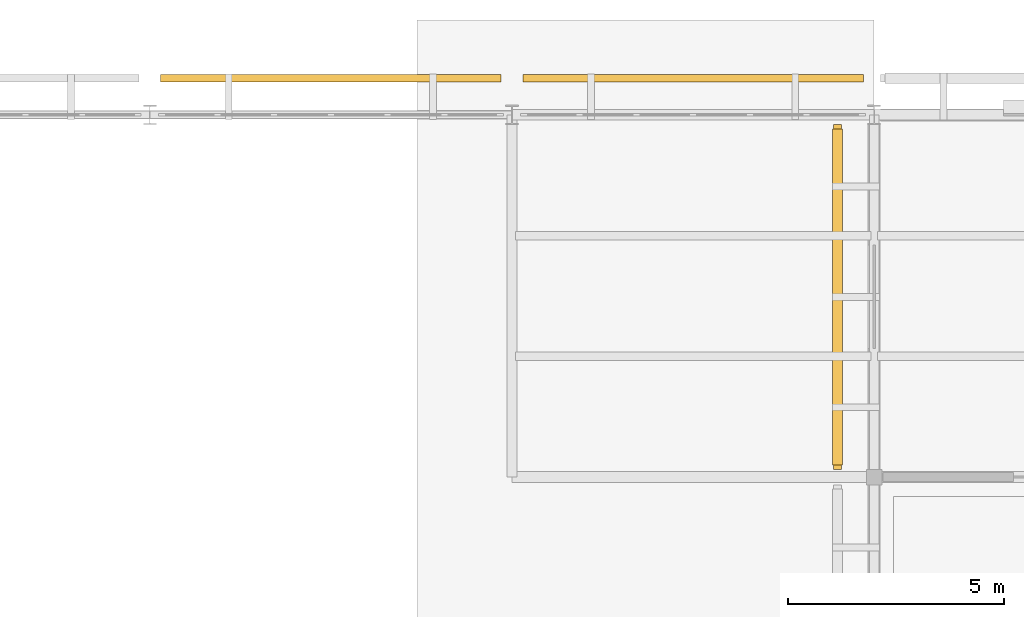
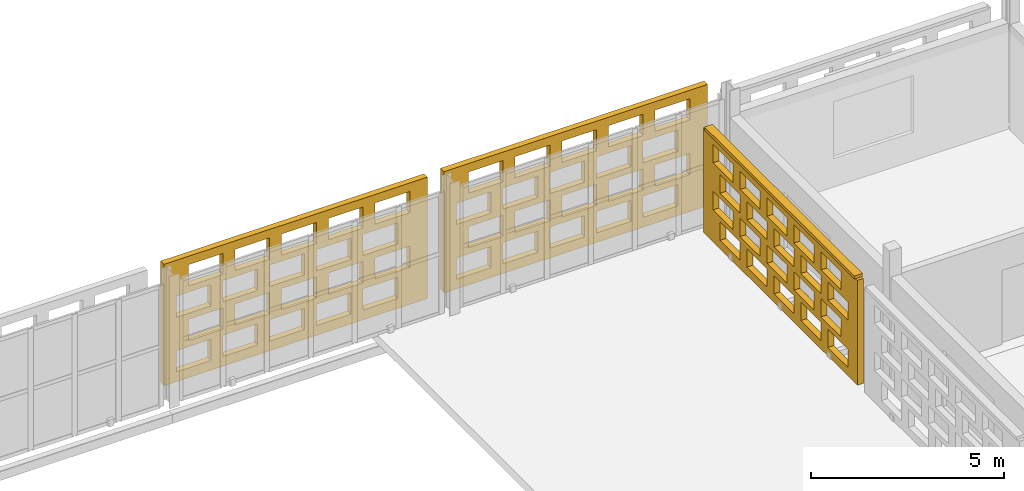
# One storey, part 129 of 140: 3 coverings, 1 shading device, 60 openings.
"""IFC4 building model written with IfcOpenShell, lengths in metres."""

import ifcopenshell
import ifcopenshell.guid

model = None  # the IFC model being written
_history = None  # IfcOwnerHistory: only IFC2X3 demands one
_inside = {}  # id of a spatial element -> (the spatial element, [elements in it])
_under = {}  # id of a project, library or spatial element -> (it, [spatial elements below it])
_declared = {}  # id of a project -> (the project, [libraries it declares])
_typed = {}  # id of a type object -> (the type object, [elements of that type])
_made_of = {}  # id of a material, layer set ... -> (it, [elements and type objects made of it])


def new_model(schema):
    """Start an empty IFC model of exactly this schema.

    Asked for "IFC4X3", IfcOpenShell would pick the latest addendum, in which some entities
    have other attributes; the version numbers below select the first issue.
    IFC2X3 requires an IfcOwnerHistory on every rooted entity: one is made here for all.
    """
    global model, _history
    if schema == "IFC4X3":
        model = ifcopenshell.file(schema_version=(4, 3, 0, 0))
    else:
        model = ifcopenshell.file(schema=schema)
    _inside.clear()
    _under.clear()
    _declared.clear()
    _typed.clear()
    _made_of.clear()
    _history = None
    if model.schema == "IFC2X3":
        org = make("IfcOrganization", Name="unknown")
        user = make(
            "IfcPersonAndOrganization",
            ThePerson=make("IfcPerson", FamilyName="unknown"),
            TheOrganization=org,
        )
        app = make(
            "IfcApplication",
            ApplicationDeveloper=org,
            Version="unknown",
            ApplicationFullName="unknown",
            ApplicationIdentifier="unknown",
        )
        _history = make(
            "IfcOwnerHistory",
            OwningUser=user,
            OwningApplication=app,
            ChangeAction="ADDED",
            CreationDate=0,
        )
    return model


def make(cls, **values):
    """One entity of the class cls with the attributes given. An attribute that is None is left unset."""
    return model.create_entity(
        cls, **{name: value for name, value in values.items() if value is not None}
    )


def rooted(cls, **values):
    """An entity with a GlobalId (a new one), such as an element, a storey or a relation."""
    return make(cls, GlobalId=ifcopenshell.guid.new(), OwnerHistory=_history, **values)


def si_unit(unit_type, name, prefix=None):
    """IfcSIUnit, for example si_unit("LENGTHUNIT", "METRE", prefix="MILLI")."""
    return make("IfcSIUnit", UnitType=unit_type, Prefix=prefix, Name=name)


def assignment(units):
    """IfcUnitAssignment: the units of a project."""
    return None if units is None else make("IfcUnitAssignment", Units=units)


def point(xyz):
    """IfcCartesianPoint."""
    return None if xyz is None else make("IfcCartesianPoint", Coordinates=xyz)


def direction(xyz):
    """IfcDirection."""
    return None if xyz is None else make("IfcDirection", DirectionRatios=xyz)


def frame(location, z_axis=None, x_axis=None):
    """IfcAxis2Placement3D, a coordinate frame: its origin and axes. An axis left out is left unset."""
    return make(
        "IfcAxis2Placement3D",
        Location=point(location),
        Axis=direction(z_axis),
        RefDirection=direction(x_axis),
    )


def frame_2d(location, x_axis=None):
    """IfcAxis2Placement2D, a coordinate frame in the plane: its origin and x axis."""
    return make(
        "IfcAxis2Placement2D", Location=point(location), RefDirection=direction(x_axis)
    )


def origin():
    """The frame at (0, 0, 0) with its axes left unset."""
    return frame((0.0, 0.0, 0.0))


def origin_2d():
    """The frame at (0, 0) in the plane with its x axis left unset."""
    return frame_2d((0.0, 0.0))


def place(relative_to, where):
    """IfcLocalPlacement: puts the frame where relative to a parent placement (None: the world)."""
    return make(
        "IfcLocalPlacement", PlacementRelTo=relative_to, RelativePlacement=where
    )


def context(
    kind, dimensions, precision=None, world=None, true_north=None, identifier=None
):
    """IfcGeometricRepresentationContext, for example the 3D "Model" context."""
    return make(
        "IfcGeometricRepresentationContext",
        ContextIdentifier=identifier,
        ContextType=kind,
        CoordinateSpaceDimension=dimensions,
        Precision=precision,
        WorldCoordinateSystem=world,
        TrueNorth=true_north,
    )


def subcontext(parent, identifier, kind, view, scale=None):
    """IfcGeometricRepresentationSubContext, for example "Body" below "Model"."""
    return make(
        "IfcGeometricRepresentationSubContext",
        ContextIdentifier=identifier,
        ContextType=kind,
        ParentContext=parent,
        TargetScale=scale,
        TargetView=view,
    )


def project(units=None, contexts=None):
    """IfcProject with its units and contexts."""
    return rooted(
        "IfcProject",
        Name="project",
        RepresentationContexts=contexts,
        UnitsInContext=assignment(units),
    )


def spatial(cls, under=None, at=None, **own):
    """A site, building, storey or space (cls), placed at a placement, below another one or the project."""
    s = rooted(cls, ObjectPlacement=at, **own)
    if under is not None:
        _under.setdefault(under.id(), (under, []))[1].append(s)
    return s


def profile(cls, at=None, kind="AREA", **sizes):
    """A parametric profile (cls). Its sizes go by their IFC names, for example OverallWidth=200.0."""
    return make(cls, ProfileType=kind, Position=at, **sizes)


def rectangle(**sizes):
    """IfcRectangleProfileDef."""
    return profile("IfcRectangleProfileDef", **sizes)


def extrude(swept, where, along, depth):
    """IfcExtrudedAreaSolid: the profile swept, set in the frame where, extruded along a direction by depth."""
    return make(
        "IfcExtrudedAreaSolid",
        SweptArea=swept,
        Position=where,
        ExtrudedDirection=direction(along),
        Depth=depth,
    )


def shape(context_of_items, identifier, shape_type, items):
    """IfcShapeRepresentation: the items that make up one representation, for example the "Body"."""
    return make(
        "IfcShapeRepresentation",
        ContextOfItems=context_of_items,
        RepresentationIdentifier=identifier,
        RepresentationType=shape_type,
        Items=items,
    )


def material(Name=None, Category=None):
    """IfcMaterial."""
    return make("IfcMaterial", Name=Name, Category=Category)


def layer(
    of_material, thickness, ventilated=None, Name=None, Category=None, Priority=None
):
    """IfcMaterialLayer: one layer of a wall or slab, of a material (None: an air gap)."""
    return make(
        "IfcMaterialLayer",
        Material=of_material,
        LayerThickness=thickness,
        IsVentilated=ventilated,
        Name=Name,
        Category=Category,
        Priority=Priority,
    )


def layer_set(layers, Name=None):
    """IfcMaterialLayerSet."""
    return make("IfcMaterialLayerSet", MaterialLayers=layers, LayerSetName=Name)


def made_of(thing, what):
    """Note that an element or type object is made of a material, layer set ...; save() writes the relation."""
    if what is not None:
        _made_of.setdefault(what.id(), (what, []))[1].append(thing)
    return thing


def type_object(cls, material=None, **own):
    """A type object (cls), such as IfcWallType, which elements share."""
    return made_of(rooted(cls, **own), material)


def element(
    cls,
    number,
    at=None,
    inside=None,
    cuts=None,
    type_object=None,
    material=None,
    context=None,
    identifier="Body",
    shape_type=None,
    held_by="IfcProductDefinitionShape",
    body=None,
    shapes=None,
    **own,
):
    """One element of the class cls, such as IfcWall. Its Tag is "e" and its number.

    at: its placement. inside: the storey or other place that contains it. cuts: it is an
    opening in that element (IfcRelVoidsElement). A single representation is given by context,
    identifier, shape_type and body (its items); several are given by shapes. held_by: the class
    of the entity that holds the representations. save() writes the other relations.
    """
    e = rooted(cls, Tag="e%d" % number, ObjectPlacement=at, **own)
    if body is not None:
        shapes = [shape(context, identifier, shape_type, body)]
    if shapes is not None:
        e.Representation = make(held_by, Representations=shapes)
    if inside is not None:
        _inside.setdefault(inside.id(), (inside, []))[1].append(e)
    if cuts is not None:
        rooted(
            "IfcRelVoidsElement", RelatingBuildingElement=cuts, RelatedOpeningElement=e
        )
    if type_object is not None:
        _typed.setdefault(type_object.id(), (type_object, []))[1].append(e)
    return made_of(e, material)


def aggregate(whole, parts):
    """IfcRelAggregates: a whole, such as a stair, and the parts it consists of."""
    return rooted("IfcRelAggregates", RelatingObject=whole, RelatedObjects=parts)


def save(model, path):
    """Write the relations noted so far, then the file.

    IfcRelAggregates (storeys below a building ...), IfcRelContainedInSpatialStructure (elements
    in a storey), IfcRelDefinesByType, IfcRelAssociatesMaterial and IfcRelDeclares: one each for
    every whole, place, type object, material and project.
    """
    for whole, parts in _under.values():
        aggregate(whole, parts)
    for where, things in _inside.values():
        rooted(
            "IfcRelContainedInSpatialStructure",
            RelatedElements=things,
            RelatingStructure=where,
        )
    for kind, things in _typed.values():
        rooted("IfcRelDefinesByType", RelatedObjects=things, RelatingType=kind)
    for what, things in _made_of.values():
        rooted("IfcRelAssociatesMaterial", RelatedObjects=things, RelatingMaterial=what)
    for by, libraries in _declared.values():
        rooted("IfcRelDeclares", RelatingContext=by, RelatedDefinitions=libraries)
    model.write(path)


model = new_model("IFC4")

# Units and contexts
model_context = context("Model", 3, precision=1e-05, world=origin(), true_north=direction((0.0, 1.0)))
body_context = subcontext(model_context, "Body", "Model", "MODEL_VIEW")
ifc_project = project(units=[si_unit("LENGTHUNIT", "METRE"), si_unit("AREAUNIT", "SQUARE_METRE"), si_unit("VOLUMEUNIT", "CUBIC_METRE"), si_unit("PLANEANGLEUNIT", "RADIAN"), si_unit("MASSUNIT", "GRAM", prefix="KILO")], contexts=[model_context])

# Site, building, storey
site_placement = place(None, origin())
site = spatial("IfcSite", under=ifc_project, at=site_placement, CompositionType="ELEMENT")
building_placement = place(site_placement, origin())
building = spatial("IfcBuilding", under=site, at=building_placement, Name="Varnapada Polytechnic", CompositionType="ELEMENT")
storey_placement = place(building_placement, frame((0.0, 0.0, 13.800048828125)))
storey = spatial("IfcBuildingStorey", under=building, at=storey_placement, Name="L03", CompositionType="ELEMENT", Elevation=13.800048828125)

# Covering, openings
ifc_material = material(Name="Earth-toned architectural terracotta screen block", Category="masonry")
ifc_layer_1 = layer(ifc_material, 0.1201171875)
ifc_layer_set_1 = layer_set([ifc_layer_1], Name="Earth-toned architectural terracotta screen block")
covering_type = type_object("IfcCoveringType", Name="Terracotta Screen Cladding CLD-01", PredefinedType="CLADDING", material=ifc_layer_set_1)
covering_1_placement = place(storey_placement, frame((125.14990234375, 117.780029296875, 0.0), z_axis=(0.0, 0.0, 1.0), x_axis=(0.0, 1.0, 0.0)))
covering_1 = element("IfcCovering", 1, at=covering_1_placement, inside=storey, type_object=covering_type, Name="L03 perforated terracotta block screen (77)", PredefinedType="CLADDING", context=body_context, shape_type="SweptSolid", body=[
    extrude(rectangle(XDim=7.994873046875, YDim=0.179931640625, at=frame_2d((3.99755859375, 0.0))), origin(), (0.0, 0.0, 1.0), 3.320068359375),
])
opening_1_placement = place(covering_1_placement, frame((0.49755859375, 0.0, 0.265625)))
element("IfcOpeningElement", 2, at=opening_1_placement, cuts=covering_1, Name="Screen perforation TBS-L03-076.1", PredefinedType="OPENING", context=body_context, shape_type="SweptSolid", body=[
    extrude(rectangle(XDim=1.0400390625, YDim=0.5810546875, at=frame_2d((0.52001953125, 0.29052734375))), frame((0.0, 0.099853515625, 0.0), z_axis=(0.0, -1.0, 0.0), x_axis=(1.0, 0.0, 0.0)), (0.0, 0.0, 1.0), 0.199951171875),
])
opening_2_placement = place(covering_1_placement, frame((1.8974609375, 0.0, 0.265625)))
element("IfcOpeningElement", 3, at=opening_2_placement, cuts=covering_1, Name="Screen perforation TBS-L03-076.2", PredefinedType="OPENING", context=body_context, shape_type="SweptSolid", body=[
    extrude(rectangle(XDim=1.0400390625, YDim=0.5810546875, at=frame_2d((0.52001953125, 0.29052734375))), frame((0.0, 0.099853515625, 0.0), z_axis=(0.0, -1.0, 0.0), x_axis=(1.0, 0.0, 0.0)), (0.0, 0.0, 1.0), 0.199951171875),
])
opening_3_placement = place(covering_1_placement, frame((3.297607421875, 0.0, 0.265625)))
element("IfcOpeningElement", 4, at=opening_3_placement, cuts=covering_1, Name="Screen perforation TBS-L03-076.3", PredefinedType="OPENING", context=body_context, shape_type="SweptSolid", body=[
    extrude(rectangle(XDim=1.0400390625, YDim=0.5810546875, at=frame_2d((0.52001953125, 0.29052734375))), frame((0.0, 0.099853515625, 0.0), z_axis=(0.0, -1.0, 0.0), x_axis=(1.0, 0.0, 0.0)), (0.0, 0.0, 1.0), 0.199951171875),
])
opening_4_placement = place(covering_1_placement, frame((4.697509765625, 0.0, 0.265625)))
element("IfcOpeningElement", 5, at=opening_4_placement, cuts=covering_1, Name="Screen perforation TBS-L03-076.4", PredefinedType="OPENING", context=body_context, shape_type="SweptSolid", body=[
    extrude(rectangle(XDim=1.0400390625, YDim=0.5810546875, at=frame_2d((0.52001953125, 0.29052734375))), frame((0.0, 0.099853515625, 0.0), z_axis=(0.0, -1.0, 0.0), x_axis=(1.0, 0.0, 0.0)), (0.0, 0.0, 1.0), 0.199951171875),
])
opening_5_placement = place(covering_1_placement, frame((6.097412109375, 0.0, 0.265625)))
element("IfcOpeningElement", 6, at=opening_5_placement, cuts=covering_1, Name="Screen perforation TBS-L03-076.5", PredefinedType="OPENING", context=body_context, shape_type="SweptSolid", body=[
    extrude(rectangle(XDim=1.0400390625, YDim=0.5810546875, at=frame_2d((0.52001953125, 0.29052734375))), frame((0.0, 0.099853515625, 0.0), z_axis=(0.0, -1.0, 0.0), x_axis=(1.0, 0.0, 0.0)), (0.0, 0.0, 1.0), 0.199951171875),
])
opening_6_placement = place(covering_1_placement, frame((0.857421875, 0.0, 1.0126953125)))
element("IfcOpeningElement", 7, at=opening_6_placement, cuts=covering_1, Name="Screen perforation TBS-L03-076.6", PredefinedType="OPENING", context=body_context, shape_type="SweptSolid", body=[
    extrude(rectangle(XDim=1.0400390625, YDim=0.5810546875, at=frame_2d((0.52001953125, 0.29052734375))), frame((0.0, 0.099853515625, 0.0), z_axis=(0.0, -1.0, 0.0), x_axis=(1.0, 0.0, 0.0)), (0.0, 0.0, 1.0), 0.199951171875),
])
opening_7_placement = place(covering_1_placement, frame((2.257568359375, 0.0, 1.0126953125)))
element("IfcOpeningElement", 8, at=opening_7_placement, cuts=covering_1, Name="Screen perforation TBS-L03-076.7", PredefinedType="OPENING", context=body_context, shape_type="SweptSolid", body=[
    extrude(rectangle(XDim=1.0400390625, YDim=0.5810546875, at=frame_2d((0.52001953125, 0.29052734375))), frame((0.0, 0.099853515625, 0.0), z_axis=(0.0, -1.0, 0.0), x_axis=(1.0, 0.0, 0.0)), (0.0, 0.0, 1.0), 0.199951171875),
])
opening_8_placement = place(covering_1_placement, frame((3.657470703125, 0.0, 1.0126953125)))
element("IfcOpeningElement", 9, at=opening_8_placement, cuts=covering_1, Name="Screen perforation TBS-L03-076.8", PredefinedType="OPENING", context=body_context, shape_type="SweptSolid", body=[
    extrude(rectangle(XDim=1.0400390625, YDim=0.5810546875, at=frame_2d((0.52001953125, 0.29052734375))), frame((0.0, 0.099853515625, 0.0), z_axis=(0.0, -1.0, 0.0), x_axis=(1.0, 0.0, 0.0)), (0.0, 0.0, 1.0), 0.199951171875),
])
opening_9_placement = place(covering_1_placement, frame((5.0576171875, 0.0, 1.0126953125)))
element("IfcOpeningElement", 10, at=opening_9_placement, cuts=covering_1, Name="Screen perforation TBS-L03-076.9", PredefinedType="OPENING", context=body_context, shape_type="SweptSolid", body=[
    extrude(rectangle(XDim=1.0400390625, YDim=0.5810546875, at=frame_2d((0.52001953125, 0.29052734375))), frame((0.0, 0.099853515625, 0.0), z_axis=(0.0, -1.0, 0.0), x_axis=(1.0, 0.0, 0.0)), (0.0, 0.0, 1.0), 0.199951171875),
])
opening_10_placement = place(covering_1_placement, frame((6.45751953125, 0.0, 1.0126953125)))
element("IfcOpeningElement", 11, at=opening_10_placement, cuts=covering_1, Name="Screen perforation TBS-L03-076.10", PredefinedType="OPENING", context=body_context, shape_type="SweptSolid", body=[
    extrude(rectangle(XDim=1.0400390625, YDim=0.5810546875, at=frame_2d((0.52001953125, 0.29052734375))), frame((0.0, 0.099853515625, 0.0), z_axis=(0.0, -1.0, 0.0), x_axis=(1.0, 0.0, 0.0)), (0.0, 0.0, 1.0), 0.199951171875),
])
opening_11_placement = place(covering_1_placement, frame((0.49755859375, 0.0, 1.759521484375)))
element("IfcOpeningElement", 12, at=opening_11_placement, cuts=covering_1, Name="Screen perforation TBS-L03-076.11", PredefinedType="OPENING", context=body_context, shape_type="SweptSolid", body=[
    extrude(rectangle(XDim=1.0400390625, YDim=0.5810546875, at=frame_2d((0.52001953125, 0.29052734375))), frame((0.0, 0.099853515625, 0.0), z_axis=(0.0, -1.0, 0.0), x_axis=(1.0, 0.0, 0.0)), (0.0, 0.0, 1.0), 0.199951171875),
])
opening_12_placement = place(covering_1_placement, frame((1.8974609375, 0.0, 1.759521484375)))
element("IfcOpeningElement", 13, at=opening_12_placement, cuts=covering_1, Name="Screen perforation TBS-L03-076.12", PredefinedType="OPENING", context=body_context, shape_type="SweptSolid", body=[
    extrude(rectangle(XDim=1.0400390625, YDim=0.5810546875, at=frame_2d((0.52001953125, 0.29052734375))), frame((0.0, 0.099853515625, 0.0), z_axis=(0.0, -1.0, 0.0), x_axis=(1.0, 0.0, 0.0)), (0.0, 0.0, 1.0), 0.199951171875),
])
opening_13_placement = place(covering_1_placement, frame((3.297607421875, 0.0, 1.759521484375)))
element("IfcOpeningElement", 14, at=opening_13_placement, cuts=covering_1, Name="Screen perforation TBS-L03-076.13", PredefinedType="OPENING", context=body_context, shape_type="SweptSolid", body=[
    extrude(rectangle(XDim=1.0400390625, YDim=0.5810546875, at=frame_2d((0.52001953125, 0.29052734375))), frame((0.0, 0.099853515625, 0.0), z_axis=(0.0, -1.0, 0.0), x_axis=(1.0, 0.0, 0.0)), (0.0, 0.0, 1.0), 0.199951171875),
])
opening_14_placement = place(covering_1_placement, frame((4.697509765625, 0.0, 1.759521484375)))
element("IfcOpeningElement", 15, at=opening_14_placement, cuts=covering_1, Name="Screen perforation TBS-L03-076.14", PredefinedType="OPENING", context=body_context, shape_type="SweptSolid", body=[
    extrude(rectangle(XDim=1.0400390625, YDim=0.5810546875, at=frame_2d((0.52001953125, 0.29052734375))), frame((0.0, 0.099853515625, 0.0), z_axis=(0.0, -1.0, 0.0), x_axis=(1.0, 0.0, 0.0)), (0.0, 0.0, 1.0), 0.199951171875),
])
opening_15_placement = place(covering_1_placement, frame((6.097412109375, 0.0, 1.759521484375)))
element("IfcOpeningElement", 16, at=opening_15_placement, cuts=covering_1, Name="Screen perforation TBS-L03-076.15", PredefinedType="OPENING", context=body_context, shape_type="SweptSolid", body=[
    extrude(rectangle(XDim=1.0400390625, YDim=0.5810546875, at=frame_2d((0.52001953125, 0.29052734375))), frame((0.0, 0.099853515625, 0.0), z_axis=(0.0, -1.0, 0.0), x_axis=(1.0, 0.0, 0.0)), (0.0, 0.0, 1.0), 0.199951171875),
])
opening_16_placement = place(covering_1_placement, frame((0.857421875, 0.0, 2.506591796875)))
element("IfcOpeningElement", 17, at=opening_16_placement, cuts=covering_1, Name="Screen perforation TBS-L03-076.16", PredefinedType="OPENING", context=body_context, shape_type="SweptSolid", body=[
    extrude(rectangle(XDim=1.0400390625, YDim=0.5810546875, at=frame_2d((0.52001953125, 0.29052734375))), frame((0.0, 0.099853515625, 0.0), z_axis=(0.0, -1.0, 0.0), x_axis=(1.0, 0.0, 0.0)), (0.0, 0.0, 1.0), 0.199951171875),
])
opening_17_placement = place(covering_1_placement, frame((2.257568359375, 0.0, 2.506591796875)))
element("IfcOpeningElement", 18, at=opening_17_placement, cuts=covering_1, Name="Screen perforation TBS-L03-076.17", PredefinedType="OPENING", context=body_context, shape_type="SweptSolid", body=[
    extrude(rectangle(XDim=1.0400390625, YDim=0.5810546875, at=frame_2d((0.52001953125, 0.29052734375))), frame((0.0, 0.099853515625, 0.0), z_axis=(0.0, -1.0, 0.0), x_axis=(1.0, 0.0, 0.0)), (0.0, 0.0, 1.0), 0.199951171875),
])
opening_18_placement = place(covering_1_placement, frame((3.657470703125, 0.0, 2.506591796875)))
element("IfcOpeningElement", 19, at=opening_18_placement, cuts=covering_1, Name="Screen perforation TBS-L03-076.18", PredefinedType="OPENING", context=body_context, shape_type="SweptSolid", body=[
    extrude(rectangle(XDim=1.0400390625, YDim=0.5810546875, at=frame_2d((0.52001953125, 0.29052734375))), frame((0.0, 0.099853515625, 0.0), z_axis=(0.0, -1.0, 0.0), x_axis=(1.0, 0.0, 0.0)), (0.0, 0.0, 1.0), 0.199951171875),
])
opening_19_placement = place(covering_1_placement, frame((5.0576171875, 0.0, 2.506591796875)))
element("IfcOpeningElement", 20, at=opening_19_placement, cuts=covering_1, Name="Screen perforation TBS-L03-076.19", PredefinedType="OPENING", context=body_context, shape_type="SweptSolid", body=[
    extrude(rectangle(XDim=1.0400390625, YDim=0.5810546875, at=frame_2d((0.52001953125, 0.29052734375))), frame((0.0, 0.099853515625, 0.0), z_axis=(0.0, -1.0, 0.0), x_axis=(1.0, 0.0, 0.0)), (0.0, 0.0, 1.0), 0.199951171875),
])
opening_20_placement = place(covering_1_placement, frame((6.45751953125, 0.0, 2.506591796875)))
element("IfcOpeningElement", 21, at=opening_20_placement, cuts=covering_1, Name="Screen perforation TBS-L03-076.20", PredefinedType="OPENING", context=body_context, shape_type="SweptSolid", body=[
    extrude(rectangle(XDim=1.0400390625, YDim=0.5810546875, at=frame_2d((0.52001953125, 0.29052734375))), frame((0.0, 0.099853515625, 0.0), z_axis=(0.0, -1.0, 0.0), x_axis=(1.0, 0.0, 0.0)), (0.0, 0.0, 1.0), 0.199951171875),
])

covering_2_placement = place(storey_placement, frame((109.449951171875, 126.85009765625, 0.0), z_axis=(0.0, 0.0, 1.0), x_axis=(1.0, 0.0, 0.0)))
covering_2 = element("IfcCovering", 22, at=covering_2_placement, inside=storey, type_object=covering_type, Name="L03 high-bay workshop north terracotta screen 14", PredefinedType="CLADDING", context=body_context, shape_type="SweptSolid", body=[
    extrude(rectangle(XDim=7.900146484375, YDim=0.179931640625, at=frame_2d((3.9501953125, 0.0))), origin(), (0.0, 0.0, 1.0), 3.849853515625),
])
opening_21_placement = place(covering_2_placement, frame((0.3701171875, 0.0, 0.30810546875)))
element("IfcOpeningElement", 23, at=opening_21_placement, cuts=covering_2, Name="Screen perforation TBS-WK-L03-13.1", PredefinedType="OPENING", context=body_context, shape_type="SweptSolid", body=[
    extrude(rectangle(XDim=1.0400390625, YDim=0.673583984375, at=frame_2d((0.52001953125, 0.3369140625))), frame((0.0, 0.099853515625, 0.0), z_axis=(0.0, -1.0, 0.0), x_axis=(1.0, 0.0, 0.0)), (0.0, 0.0, 1.0), 0.199951171875),
])
opening_22_placement = place(covering_2_placement, frame((1.77001953125, 0.0, 0.30810546875)))
element("IfcOpeningElement", 24, at=opening_22_placement, cuts=covering_2, Name="Screen perforation TBS-WK-L03-13.2", PredefinedType="OPENING", context=body_context, shape_type="SweptSolid", body=[
    extrude(rectangle(XDim=1.0400390625, YDim=0.673583984375, at=frame_2d((0.52001953125, 0.3369140625))), frame((0.0, 0.099853515625, 0.0), z_axis=(0.0, -1.0, 0.0), x_axis=(1.0, 0.0, 0.0)), (0.0, 0.0, 1.0), 0.199951171875),
])
opening_23_placement = place(covering_2_placement, frame((3.169921875, 0.0, 0.30810546875)))
element("IfcOpeningElement", 25, at=opening_23_placement, cuts=covering_2, Name="Screen perforation TBS-WK-L03-13.3", PredefinedType="OPENING", context=body_context, shape_type="SweptSolid", body=[
    extrude(rectangle(XDim=1.0400390625, YDim=0.673583984375, at=frame_2d((0.52001953125, 0.3369140625))), frame((0.0, 0.099853515625, 0.0), z_axis=(0.0, -1.0, 0.0), x_axis=(1.0, 0.0, 0.0)), (0.0, 0.0, 1.0), 0.199951171875),
])
opening_24_placement = place(covering_2_placement, frame((4.570068359375, 0.0, 0.30810546875)))
element("IfcOpeningElement", 26, at=opening_24_placement, cuts=covering_2, Name="Screen perforation TBS-WK-L03-13.4", PredefinedType="OPENING", context=body_context, shape_type="SweptSolid", body=[
    extrude(rectangle(XDim=1.0400390625, YDim=0.673583984375, at=frame_2d((0.52001953125, 0.3369140625))), frame((0.0, 0.099853515625, 0.0), z_axis=(0.0, -1.0, 0.0), x_axis=(1.0, 0.0, 0.0)), (0.0, 0.0, 1.0), 0.199951171875),
])
opening_25_placement = place(covering_2_placement, frame((5.969970703125, 0.0, 0.30810546875)))
element("IfcOpeningElement", 27, at=opening_25_placement, cuts=covering_2, Name="Screen perforation TBS-WK-L03-13.5", PredefinedType="OPENING", context=body_context, shape_type="SweptSolid", body=[
    extrude(rectangle(XDim=1.0400390625, YDim=0.673583984375, at=frame_2d((0.52001953125, 0.3369140625))), frame((0.0, 0.099853515625, 0.0), z_axis=(0.0, -1.0, 0.0), x_axis=(1.0, 0.0, 0.0)), (0.0, 0.0, 1.0), 0.199951171875),
])
opening_26_placement = place(covering_2_placement, frame((0.72998046875, 0.0, 1.17431640625)))
element("IfcOpeningElement", 28, at=opening_26_placement, cuts=covering_2, Name="Screen perforation TBS-WK-L03-13.6", PredefinedType="OPENING", context=body_context, shape_type="SweptSolid", body=[
    extrude(rectangle(XDim=1.0400390625, YDim=0.673583984375, at=frame_2d((0.52001953125, 0.3369140625))), frame((0.0, 0.099853515625, 0.0), z_axis=(0.0, -1.0, 0.0), x_axis=(1.0, 0.0, 0.0)), (0.0, 0.0, 1.0), 0.199951171875),
])
opening_27_placement = place(covering_2_placement, frame((2.1298828125, 0.0, 1.17431640625)))
element("IfcOpeningElement", 29, at=opening_27_placement, cuts=covering_2, Name="Screen perforation TBS-WK-L03-13.7", PredefinedType="OPENING", context=body_context, shape_type="SweptSolid", body=[
    extrude(rectangle(XDim=1.0400390625, YDim=0.673583984375, at=frame_2d((0.52001953125, 0.3369140625))), frame((0.0, 0.099853515625, 0.0), z_axis=(0.0, -1.0, 0.0), x_axis=(1.0, 0.0, 0.0)), (0.0, 0.0, 1.0), 0.199951171875),
])
opening_28_placement = place(covering_2_placement, frame((3.530029296875, 0.0, 1.17431640625)))
element("IfcOpeningElement", 30, at=opening_28_placement, cuts=covering_2, Name="Screen perforation TBS-WK-L03-13.8", PredefinedType="OPENING", context=body_context, shape_type="SweptSolid", body=[
    extrude(rectangle(XDim=1.0400390625, YDim=0.673583984375, at=frame_2d((0.52001953125, 0.3369140625))), frame((0.0, 0.099853515625, 0.0), z_axis=(0.0, -1.0, 0.0), x_axis=(1.0, 0.0, 0.0)), (0.0, 0.0, 1.0), 0.199951171875),
])
opening_29_placement = place(covering_2_placement, frame((4.929931640625, 0.0, 1.17431640625)))
element("IfcOpeningElement", 31, at=opening_29_placement, cuts=covering_2, Name="Screen perforation TBS-WK-L03-13.9", PredefinedType="OPENING", context=body_context, shape_type="SweptSolid", body=[
    extrude(rectangle(XDim=1.0400390625, YDim=0.673583984375, at=frame_2d((0.52001953125, 0.3369140625))), frame((0.0, 0.099853515625, 0.0), z_axis=(0.0, -1.0, 0.0), x_axis=(1.0, 0.0, 0.0)), (0.0, 0.0, 1.0), 0.199951171875),
])
opening_30_placement = place(covering_2_placement, frame((6.330078125, 0.0, 1.17431640625)))
element("IfcOpeningElement", 32, at=opening_30_placement, cuts=covering_2, Name="Screen perforation TBS-WK-L03-13.10", PredefinedType="OPENING", context=body_context, shape_type="SweptSolid", body=[
    extrude(rectangle(XDim=1.0400390625, YDim=0.673583984375, at=frame_2d((0.52001953125, 0.3369140625))), frame((0.0, 0.099853515625, 0.0), z_axis=(0.0, -1.0, 0.0), x_axis=(1.0, 0.0, 0.0)), (0.0, 0.0, 1.0), 0.199951171875),
])
opening_31_placement = place(covering_2_placement, frame((0.3701171875, 0.0, 2.04052734375)))
element("IfcOpeningElement", 33, at=opening_31_placement, cuts=covering_2, Name="Screen perforation TBS-WK-L03-13.11", PredefinedType="OPENING", context=body_context, shape_type="SweptSolid", body=[
    extrude(rectangle(XDim=1.0400390625, YDim=0.673583984375, at=frame_2d((0.52001953125, 0.3369140625))), frame((0.0, 0.099853515625, 0.0), z_axis=(0.0, -1.0, 0.0), x_axis=(1.0, 0.0, 0.0)), (0.0, 0.0, 1.0), 0.199951171875),
])
opening_32_placement = place(covering_2_placement, frame((1.77001953125, 0.0, 2.04052734375)))
element("IfcOpeningElement", 34, at=opening_32_placement, cuts=covering_2, Name="Screen perforation TBS-WK-L03-13.12", PredefinedType="OPENING", context=body_context, shape_type="SweptSolid", body=[
    extrude(rectangle(XDim=1.0400390625, YDim=0.673583984375, at=frame_2d((0.52001953125, 0.3369140625))), frame((0.0, 0.099853515625, 0.0), z_axis=(0.0, -1.0, 0.0), x_axis=(1.0, 0.0, 0.0)), (0.0, 0.0, 1.0), 0.199951171875),
])
opening_33_placement = place(covering_2_placement, frame((3.169921875, 0.0, 2.04052734375)))
element("IfcOpeningElement", 35, at=opening_33_placement, cuts=covering_2, Name="Screen perforation TBS-WK-L03-13.13", PredefinedType="OPENING", context=body_context, shape_type="SweptSolid", body=[
    extrude(rectangle(XDim=1.0400390625, YDim=0.673583984375, at=frame_2d((0.52001953125, 0.3369140625))), frame((0.0, 0.099853515625, 0.0), z_axis=(0.0, -1.0, 0.0), x_axis=(1.0, 0.0, 0.0)), (0.0, 0.0, 1.0), 0.199951171875),
])
opening_34_placement = place(covering_2_placement, frame((4.570068359375, 0.0, 2.04052734375)))
element("IfcOpeningElement", 36, at=opening_34_placement, cuts=covering_2, Name="Screen perforation TBS-WK-L03-13.14", PredefinedType="OPENING", context=body_context, shape_type="SweptSolid", body=[
    extrude(rectangle(XDim=1.0400390625, YDim=0.673583984375, at=frame_2d((0.52001953125, 0.3369140625))), frame((0.0, 0.099853515625, 0.0), z_axis=(0.0, -1.0, 0.0), x_axis=(1.0, 0.0, 0.0)), (0.0, 0.0, 1.0), 0.199951171875),
])
opening_35_placement = place(covering_2_placement, frame((5.969970703125, 0.0, 2.04052734375)))
element("IfcOpeningElement", 37, at=opening_35_placement, cuts=covering_2, Name="Screen perforation TBS-WK-L03-13.15", PredefinedType="OPENING", context=body_context, shape_type="SweptSolid", body=[
    extrude(rectangle(XDim=1.0400390625, YDim=0.673583984375, at=frame_2d((0.52001953125, 0.3369140625))), frame((0.0, 0.099853515625, 0.0), z_axis=(0.0, -1.0, 0.0), x_axis=(1.0, 0.0, 0.0)), (0.0, 0.0, 1.0), 0.199951171875),
])
opening_36_placement = place(covering_2_placement, frame((0.72998046875, 0.0, 2.90673828125)))
element("IfcOpeningElement", 38, at=opening_36_placement, cuts=covering_2, Name="Screen perforation TBS-WK-L03-13.16", PredefinedType="OPENING", context=body_context, shape_type="SweptSolid", body=[
    extrude(rectangle(XDim=1.0400390625, YDim=0.673583984375, at=frame_2d((0.52001953125, 0.3369140625))), frame((0.0, 0.099853515625, 0.0), z_axis=(0.0, -1.0, 0.0), x_axis=(1.0, 0.0, 0.0)), (0.0, 0.0, 1.0), 0.199951171875),
])
opening_37_placement = place(covering_2_placement, frame((2.1298828125, 0.0, 2.90673828125)))
element("IfcOpeningElement", 39, at=opening_37_placement, cuts=covering_2, Name="Screen perforation TBS-WK-L03-13.17", PredefinedType="OPENING", context=body_context, shape_type="SweptSolid", body=[
    extrude(rectangle(XDim=1.0400390625, YDim=0.673583984375, at=frame_2d((0.52001953125, 0.3369140625))), frame((0.0, 0.099853515625, 0.0), z_axis=(0.0, -1.0, 0.0), x_axis=(1.0, 0.0, 0.0)), (0.0, 0.0, 1.0), 0.199951171875),
])
opening_38_placement = place(covering_2_placement, frame((3.530029296875, 0.0, 2.90673828125)))
element("IfcOpeningElement", 40, at=opening_38_placement, cuts=covering_2, Name="Screen perforation TBS-WK-L03-13.18", PredefinedType="OPENING", context=body_context, shape_type="SweptSolid", body=[
    extrude(rectangle(XDim=1.0400390625, YDim=0.673583984375, at=frame_2d((0.52001953125, 0.3369140625))), frame((0.0, 0.099853515625, 0.0), z_axis=(0.0, -1.0, 0.0), x_axis=(1.0, 0.0, 0.0)), (0.0, 0.0, 1.0), 0.199951171875),
])
opening_39_placement = place(covering_2_placement, frame((4.929931640625, 0.0, 2.90673828125)))
element("IfcOpeningElement", 41, at=opening_39_placement, cuts=covering_2, Name="Screen perforation TBS-WK-L03-13.19", PredefinedType="OPENING", context=body_context, shape_type="SweptSolid", body=[
    extrude(rectangle(XDim=1.0400390625, YDim=0.673583984375, at=frame_2d((0.52001953125, 0.3369140625))), frame((0.0, 0.099853515625, 0.0), z_axis=(0.0, -1.0, 0.0), x_axis=(1.0, 0.0, 0.0)), (0.0, 0.0, 1.0), 0.199951171875),
])
opening_40_placement = place(covering_2_placement, frame((6.330078125, 0.0, 2.90673828125)))
element("IfcOpeningElement", 42, at=opening_40_placement, cuts=covering_2, Name="Screen perforation TBS-WK-L03-13.20", PredefinedType="OPENING", context=body_context, shape_type="SweptSolid", body=[
    extrude(rectangle(XDim=1.0400390625, YDim=0.673583984375, at=frame_2d((0.52001953125, 0.3369140625))), frame((0.0, 0.099853515625, 0.0), z_axis=(0.0, -1.0, 0.0), x_axis=(1.0, 0.0, 0.0)), (0.0, 0.0, 1.0), 0.199951171875),
])

covering_3_placement = place(storey_placement, frame((117.85009765625, 126.85009765625, 0.0), z_axis=(0.0, 0.0, 1.0), x_axis=(1.0, 0.0, 0.0)))
covering_3 = element("IfcCovering", 43, at=covering_3_placement, inside=storey, type_object=covering_type, Name="L03 high-bay workshop north terracotta screen 15", PredefinedType="CLADDING", context=body_context, shape_type="SweptSolid", body=[
    extrude(rectangle(XDim=7.89990234375, YDim=0.179931640625, at=frame_2d((3.949951171875, 0.0))), origin(), (0.0, 0.0, 1.0), 3.849853515625),
])
opening_41_placement = place(covering_3_placement, frame((0.3701171875, 0.0, 0.30810546875)))
element("IfcOpeningElement", 44, at=opening_41_placement, cuts=covering_3, Name="Screen perforation TBS-WK-L03-14.1", PredefinedType="OPENING", context=body_context, shape_type="SweptSolid", body=[
    extrude(rectangle(XDim=1.0400390625, YDim=0.673583984375, at=frame_2d((0.52001953125, 0.3369140625))), frame((0.0, 0.099853515625, 0.0), z_axis=(0.0, -1.0, 0.0), x_axis=(1.0, 0.0, 0.0)), (0.0, 0.0, 1.0), 0.199951171875),
])
opening_42_placement = place(covering_3_placement, frame((1.77001953125, 0.0, 0.30810546875)))
element("IfcOpeningElement", 45, at=opening_42_placement, cuts=covering_3, Name="Screen perforation TBS-WK-L03-14.2", PredefinedType="OPENING", context=body_context, shape_type="SweptSolid", body=[
    extrude(rectangle(XDim=1.0400390625, YDim=0.673583984375, at=frame_2d((0.52001953125, 0.3369140625))), frame((0.0, 0.099853515625, 0.0), z_axis=(0.0, -1.0, 0.0), x_axis=(1.0, 0.0, 0.0)), (0.0, 0.0, 1.0), 0.199951171875),
])
opening_43_placement = place(covering_3_placement, frame((3.169921875, 0.0, 0.30810546875)))
element("IfcOpeningElement", 46, at=opening_43_placement, cuts=covering_3, Name="Screen perforation TBS-WK-L03-14.3", PredefinedType="OPENING", context=body_context, shape_type="SweptSolid", body=[
    extrude(rectangle(XDim=1.0400390625, YDim=0.673583984375, at=frame_2d((0.52001953125, 0.3369140625))), frame((0.0, 0.099853515625, 0.0), z_axis=(0.0, -1.0, 0.0), x_axis=(1.0, 0.0, 0.0)), (0.0, 0.0, 1.0), 0.199951171875),
])
opening_44_placement = place(covering_3_placement, frame((4.570068359375, 0.0, 0.30810546875)))
element("IfcOpeningElement", 47, at=opening_44_placement, cuts=covering_3, Name="Screen perforation TBS-WK-L03-14.4", PredefinedType="OPENING", context=body_context, shape_type="SweptSolid", body=[
    extrude(rectangle(XDim=1.0400390625, YDim=0.673583984375, at=frame_2d((0.52001953125, 0.3369140625))), frame((0.0, 0.099853515625, 0.0), z_axis=(0.0, -1.0, 0.0), x_axis=(1.0, 0.0, 0.0)), (0.0, 0.0, 1.0), 0.199951171875),
])
opening_45_placement = place(covering_3_placement, frame((5.969970703125, 0.0, 0.30810546875)))
element("IfcOpeningElement", 48, at=opening_45_placement, cuts=covering_3, Name="Screen perforation TBS-WK-L03-14.5", PredefinedType="OPENING", context=body_context, shape_type="SweptSolid", body=[
    extrude(rectangle(XDim=1.0400390625, YDim=0.673583984375, at=frame_2d((0.52001953125, 0.3369140625))), frame((0.0, 0.099853515625, 0.0), z_axis=(0.0, -1.0, 0.0), x_axis=(1.0, 0.0, 0.0)), (0.0, 0.0, 1.0), 0.199951171875),
])
opening_46_placement = place(covering_3_placement, frame((0.72998046875, 0.0, 1.17431640625)))
element("IfcOpeningElement", 49, at=opening_46_placement, cuts=covering_3, Name="Screen perforation TBS-WK-L03-14.6", PredefinedType="OPENING", context=body_context, shape_type="SweptSolid", body=[
    extrude(rectangle(XDim=1.0400390625, YDim=0.673583984375, at=frame_2d((0.52001953125, 0.3369140625))), frame((0.0, 0.099853515625, 0.0), z_axis=(0.0, -1.0, 0.0), x_axis=(1.0, 0.0, 0.0)), (0.0, 0.0, 1.0), 0.199951171875),
])
opening_47_placement = place(covering_3_placement, frame((2.1298828125, 0.0, 1.17431640625)))
element("IfcOpeningElement", 50, at=opening_47_placement, cuts=covering_3, Name="Screen perforation TBS-WK-L03-14.7", PredefinedType="OPENING", context=body_context, shape_type="SweptSolid", body=[
    extrude(rectangle(XDim=1.0400390625, YDim=0.673583984375, at=frame_2d((0.52001953125, 0.3369140625))), frame((0.0, 0.099853515625, 0.0), z_axis=(0.0, -1.0, 0.0), x_axis=(1.0, 0.0, 0.0)), (0.0, 0.0, 1.0), 0.199951171875),
])
opening_48_placement = place(covering_3_placement, frame((3.530029296875, 0.0, 1.17431640625)))
element("IfcOpeningElement", 51, at=opening_48_placement, cuts=covering_3, Name="Screen perforation TBS-WK-L03-14.8", PredefinedType="OPENING", context=body_context, shape_type="SweptSolid", body=[
    extrude(rectangle(XDim=1.0400390625, YDim=0.673583984375, at=frame_2d((0.52001953125, 0.3369140625))), frame((0.0, 0.099853515625, 0.0), z_axis=(0.0, -1.0, 0.0), x_axis=(1.0, 0.0, 0.0)), (0.0, 0.0, 1.0), 0.199951171875),
])
opening_49_placement = place(covering_3_placement, frame((4.929931640625, 0.0, 1.17431640625)))
element("IfcOpeningElement", 52, at=opening_49_placement, cuts=covering_3, Name="Screen perforation TBS-WK-L03-14.9", PredefinedType="OPENING", context=body_context, shape_type="SweptSolid", body=[
    extrude(rectangle(XDim=1.0400390625, YDim=0.673583984375, at=frame_2d((0.52001953125, 0.3369140625))), frame((0.0, 0.099853515625, 0.0), z_axis=(0.0, -1.0, 0.0), x_axis=(1.0, 0.0, 0.0)), (0.0, 0.0, 1.0), 0.199951171875),
])
opening_50_placement = place(covering_3_placement, frame((6.330078125, 0.0, 1.17431640625)))
element("IfcOpeningElement", 53, at=opening_50_placement, cuts=covering_3, Name="Screen perforation TBS-WK-L03-14.10", PredefinedType="OPENING", context=body_context, shape_type="SweptSolid", body=[
    extrude(rectangle(XDim=1.0400390625, YDim=0.673583984375, at=frame_2d((0.52001953125, 0.3369140625))), frame((0.0, 0.099853515625, 0.0), z_axis=(0.0, -1.0, 0.0), x_axis=(1.0, 0.0, 0.0)), (0.0, 0.0, 1.0), 0.199951171875),
])
opening_51_placement = place(covering_3_placement, frame((0.3701171875, 0.0, 2.04052734375)))
element("IfcOpeningElement", 54, at=opening_51_placement, cuts=covering_3, Name="Screen perforation TBS-WK-L03-14.11", PredefinedType="OPENING", context=body_context, shape_type="SweptSolid", body=[
    extrude(rectangle(XDim=1.0400390625, YDim=0.673583984375, at=frame_2d((0.52001953125, 0.3369140625))), frame((0.0, 0.099853515625, 0.0), z_axis=(0.0, -1.0, 0.0), x_axis=(1.0, 0.0, 0.0)), (0.0, 0.0, 1.0), 0.199951171875),
])
opening_52_placement = place(covering_3_placement, frame((1.77001953125, 0.0, 2.04052734375)))
element("IfcOpeningElement", 55, at=opening_52_placement, cuts=covering_3, Name="Screen perforation TBS-WK-L03-14.12", PredefinedType="OPENING", context=body_context, shape_type="SweptSolid", body=[
    extrude(rectangle(XDim=1.0400390625, YDim=0.673583984375, at=frame_2d((0.52001953125, 0.3369140625))), frame((0.0, 0.099853515625, 0.0), z_axis=(0.0, -1.0, 0.0), x_axis=(1.0, 0.0, 0.0)), (0.0, 0.0, 1.0), 0.199951171875),
])
opening_53_placement = place(covering_3_placement, frame((3.169921875, 0.0, 2.04052734375)))
element("IfcOpeningElement", 56, at=opening_53_placement, cuts=covering_3, Name="Screen perforation TBS-WK-L03-14.13", PredefinedType="OPENING", context=body_context, shape_type="SweptSolid", body=[
    extrude(rectangle(XDim=1.0400390625, YDim=0.673583984375, at=frame_2d((0.52001953125, 0.3369140625))), frame((0.0, 0.099853515625, 0.0), z_axis=(0.0, -1.0, 0.0), x_axis=(1.0, 0.0, 0.0)), (0.0, 0.0, 1.0), 0.199951171875),
])
opening_54_placement = place(covering_3_placement, frame((4.570068359375, 0.0, 2.04052734375)))
element("IfcOpeningElement", 57, at=opening_54_placement, cuts=covering_3, Name="Screen perforation TBS-WK-L03-14.14", PredefinedType="OPENING", context=body_context, shape_type="SweptSolid", body=[
    extrude(rectangle(XDim=1.0400390625, YDim=0.673583984375, at=frame_2d((0.52001953125, 0.3369140625))), frame((0.0, 0.099853515625, 0.0), z_axis=(0.0, -1.0, 0.0), x_axis=(1.0, 0.0, 0.0)), (0.0, 0.0, 1.0), 0.199951171875),
])
opening_55_placement = place(covering_3_placement, frame((5.969970703125, 0.0, 2.04052734375)))
element("IfcOpeningElement", 58, at=opening_55_placement, cuts=covering_3, Name="Screen perforation TBS-WK-L03-14.15", PredefinedType="OPENING", context=body_context, shape_type="SweptSolid", body=[
    extrude(rectangle(XDim=1.0400390625, YDim=0.673583984375, at=frame_2d((0.52001953125, 0.3369140625))), frame((0.0, 0.099853515625, 0.0), z_axis=(0.0, -1.0, 0.0), x_axis=(1.0, 0.0, 0.0)), (0.0, 0.0, 1.0), 0.199951171875),
])
opening_56_placement = place(covering_3_placement, frame((0.72998046875, 0.0, 2.90673828125)))
element("IfcOpeningElement", 59, at=opening_56_placement, cuts=covering_3, Name="Screen perforation TBS-WK-L03-14.16", PredefinedType="OPENING", context=body_context, shape_type="SweptSolid", body=[
    extrude(rectangle(XDim=1.0400390625, YDim=0.673583984375, at=frame_2d((0.52001953125, 0.3369140625))), frame((0.0, 0.099853515625, 0.0), z_axis=(0.0, -1.0, 0.0), x_axis=(1.0, 0.0, 0.0)), (0.0, 0.0, 1.0), 0.199951171875),
])
opening_57_placement = place(covering_3_placement, frame((2.1298828125, 0.0, 2.90673828125)))
element("IfcOpeningElement", 60, at=opening_57_placement, cuts=covering_3, Name="Screen perforation TBS-WK-L03-14.17", PredefinedType="OPENING", context=body_context, shape_type="SweptSolid", body=[
    extrude(rectangle(XDim=1.0400390625, YDim=0.673583984375, at=frame_2d((0.52001953125, 0.3369140625))), frame((0.0, 0.099853515625, 0.0), z_axis=(0.0, -1.0, 0.0), x_axis=(1.0, 0.0, 0.0)), (0.0, 0.0, 1.0), 0.199951171875),
])
opening_58_placement = place(covering_3_placement, frame((3.530029296875, 0.0, 2.90673828125)))
element("IfcOpeningElement", 61, at=opening_58_placement, cuts=covering_3, Name="Screen perforation TBS-WK-L03-14.18", PredefinedType="OPENING", context=body_context, shape_type="SweptSolid", body=[
    extrude(rectangle(XDim=1.0400390625, YDim=0.673583984375, at=frame_2d((0.52001953125, 0.3369140625))), frame((0.0, 0.099853515625, 0.0), z_axis=(0.0, -1.0, 0.0), x_axis=(1.0, 0.0, 0.0)), (0.0, 0.0, 1.0), 0.199951171875),
])
opening_59_placement = place(covering_3_placement, frame((4.929931640625, 0.0, 2.90673828125)))
element("IfcOpeningElement", 62, at=opening_59_placement, cuts=covering_3, Name="Screen perforation TBS-WK-L03-14.19", PredefinedType="OPENING", context=body_context, shape_type="SweptSolid", body=[
    extrude(rectangle(XDim=1.0400390625, YDim=0.673583984375, at=frame_2d((0.52001953125, 0.3369140625))), frame((0.0, 0.099853515625, 0.0), z_axis=(0.0, -1.0, 0.0), x_axis=(1.0, 0.0, 0.0)), (0.0, 0.0, 1.0), 0.199951171875),
])
opening_60_placement = place(covering_3_placement, frame((6.330078125, 0.0, 2.90673828125)))
element("IfcOpeningElement", 63, at=opening_60_placement, cuts=covering_3, Name="Screen perforation TBS-WK-L03-14.20", PredefinedType="OPENING", context=body_context, shape_type="SweptSolid", body=[
    extrude(rectangle(XDim=1.0400390625, YDim=0.673583984375, at=frame_2d((0.52001953125, 0.3369140625))), frame((0.0, 0.099853515625, 0.0), z_axis=(0.0, -1.0, 0.0), x_axis=(1.0, 0.0, 0.0)), (0.0, 0.0, 1.0), 0.199951171875),
])

# Shading device
ifc_layer_2 = layer(ifc_material, 0.179931640625)
ifc_layer_set_2 = layer_set([ifc_layer_2], Name="Earth-toned architectural terracotta screen block")
shading_device_type = type_object("IfcShadingDeviceType", Name="Terracotta Screen SCR-01", PredefinedType="USERDEFINED", material=ifc_layer_set_2)
shading_device_placement = place(storey_placement, frame((125.14990234375, 121.777587890625, 3.309814453125), z_axis=(0.0, 0.0, 1.0), x_axis=(0.0, 1.0, 0.0)))
element("IfcShadingDevice", 64, at=shading_device_placement, inside=storey, type_object=shading_device_type, Name="L03 perforated terracotta screen hood 404", ObjectType="SCREEN", PredefinedType="USERDEFINED", context=body_context, shape_type="SweptSolid", body=[
    extrude(rectangle(XDim=7.794921875, YDim=0.239990234375, at=origin_2d()), origin(), (0.0, 0.0, 1.0), 0.10009765625),
])

save(model, "model.ifc")
